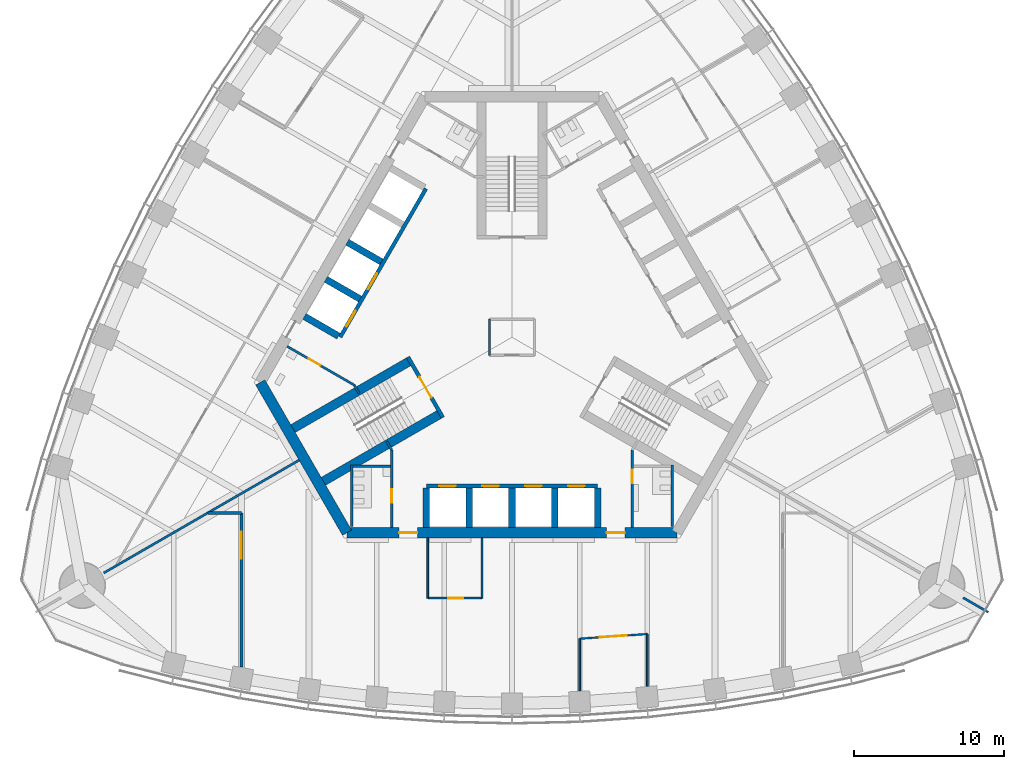
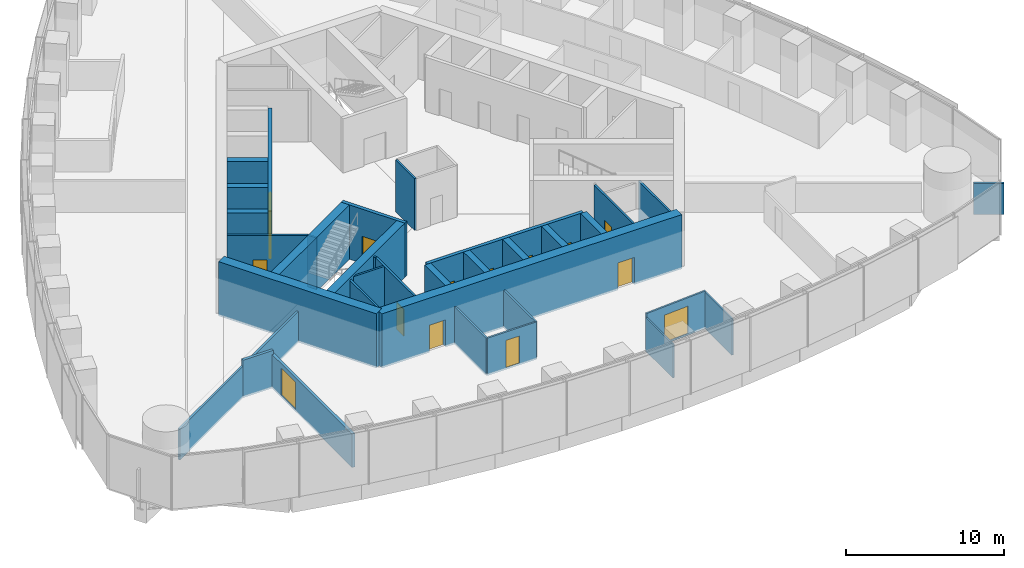
# One storey, part 11 of 19: 34 walls, 15 doors, 15 openings.
"""IFC4 building model written with IfcOpenShell, lengths in metres."""

from ifc_helpers import new_model, si_unit, direction, frame, frame_2d, origin, place, context, subcontext, project, spatial, rectangle, extrude, material, layer, layer_set, type_object, element, fill, save


model = new_model("IFC4")

# Units and contexts
model_context = context("Model", 3, precision=1e-05, world=origin(), true_north=direction((0.0, 1.0)))
body_context = subcontext(model_context, "Body", "Model", "MODEL_VIEW")
ifc_project = project(units=[si_unit("LENGTHUNIT", "METRE"), si_unit("AREAUNIT", "SQUARE_METRE"), si_unit("VOLUMEUNIT", "CUBIC_METRE"), si_unit("PLANEANGLEUNIT", "RADIAN"), si_unit("MASSUNIT", "GRAM", prefix="KILO")], contexts=[model_context])

# Site, building, storey
site_placement = place(None, origin())
site = spatial("IfcSite", under=ifc_project, at=site_placement, CompositionType="ELEMENT")
building_placement = place(site_placement, origin())
building = spatial("IfcBuilding", under=site, at=building_placement, Name="Trefoil Bronze Tower", CompositionType="ELEMENT")
storey_placement = place(building_placement, frame((0.0, 0.0, 256.89990234375)))
storey = spatial("IfcBuildingStorey", under=building, at=storey_placement, Name="L59", CompositionType="ELEMENT", Elevation=256.89990234375)

# Wall
ifc_material_1 = material(Name="Gypsum board on steel studs", Category="steel")
ifc_layer_1 = layer(ifc_material_1, 0.199951171875)
ifc_layer_set_1 = layer_set([ifc_layer_1], Name="Acoustic partition 200")
wall_type_1 = type_object("IfcWallType", Name="Acoustic partition 200", PredefinedType="PARTITIONING", material=ifc_layer_set_1)
wall_1_placement = place(storey_placement, frame((-18.0, -11.68994140625, 0.0), z_axis=(0.0, 0.0, 1.0), x_axis=(-1.0, 0.0, 0.0)))
element("IfcWall", 1, at=wall_1_placement, inside=storey, type_object=wall_type_1, Name="Partition F1 L59", PredefinedType="PARTITIONING", context=body_context, shape_type="SweptSolid", body=[
    extrude(rectangle(XDim=2.230224609375, YDim=0.199951171875, at=frame_2d((1.115234375, 0.0))), origin(), (0.0, 0.0, 1.0), 2.900146484375),
])

# Wall, opening, door
wall_2_placement = place(storey_placement, frame((-18.0, -11.68994140625, 0.0), z_axis=(0.0, 0.0, 1.0), x_axis=(0.0, -1.0, 0.0)))
wall_2 = element("IfcWall", 2, at=wall_2_placement, inside=storey, type_object=wall_type_1, Name="Partition F1 L59", PredefinedType="PARTITIONING", context=body_context, shape_type="SweptSolid", body=[
    extrude(rectangle(XDim=10.236572265625, YDim=0.199951171875, at=frame_2d((5.1181640625, 0.0))), origin(), (0.0, 0.0, 1.0), 2.60009765625),
])
opening_1_placement = place(wall_2_placement, frame((1.25, 0.0, 0.14990234375)))
opening_1 = element("IfcOpeningElement", 3, at=opening_1_placement, cuts=wall_2, Name="Opening D10", PredefinedType="OPENING", context=body_context, shape_type="SweptSolid", body=[
    extrude(rectangle(XDim=1.800048828125, YDim=2.10009765625, at=frame_2d((0.89990234375, 1.050048828125))), frame((0.0, 0.10986328125, 0.0), z_axis=(0.0, -1.0, 0.0), x_axis=(1.0, 0.0, 0.0)), (0.0, 0.0, 1.0), 0.219970703125),
])
ifc_material_2 = material(Name="Timber door", Category="wood")
door_type_1 = type_object("IfcDoorType", Name="Double door 1800", OperationType="DOUBLE_DOOR_SINGLE_SWING", PredefinedType="DOOR", material=ifc_material_2)
door_1_placement = place(opening_1_placement, frame((1.800048828125, 0.0, 0.0), z_axis=(0.0, 0.0, 1.0), x_axis=(-1.0, 0.0, 0.0)))
door_1 = element("IfcDoor", 4, at=door_1_placement, inside=storey, type_object=door_type_1, Name="Private dining room door F1 L59", OperationType="DOUBLE_DOOR_SINGLE_SWING", OverallHeight=2.10009765625, OverallWidth=1.800048828125, PredefinedType="DOOR", context=body_context, shape_type="SweptSolid", body=[
    extrude(rectangle(XDim=1.800048828125, YDim=2.10009765625, at=frame_2d((0.89990234375, 1.050048828125))), frame((0.0, 0.02490234375, 0.0), z_axis=(0.0, -1.0, 0.0), x_axis=(1.0, 0.0, 0.0)), (0.0, 0.0, 1.0), 0.050048828125),
])
fill(opening_1, door_1)

# Wall, openings, doors
ifc_material_3 = material(Name="Concrete B80", Category="concrete")
ifc_layer_2 = layer(ifc_material_3, 0.699951171875)
ifc_layer_set_2 = layer_set([ifc_layer_2], Name="Core wall 700")
wall_type_2 = type_object("IfcWallType", Name="Core wall 700", PredefinedType="SHEAR", material=ifc_layer_set_2)
wall_3_placement = place(storey_placement, frame((-10.9697265625, -13.0, 0.0), z_axis=(0.0, 0.0, 1.0), x_axis=(1.0, 0.0, 0.0)))
wall_3 = element("IfcWall", 5, at=wall_3_placement, inside=storey, type_object=wall_type_2, Name="Core long wall 1 L59", PredefinedType="SHEAR", context=body_context, shape_type="SweptSolid", body=[
    extrude(rectangle(XDim=21.939453125, YDim=0.699951171875, at=frame_2d((10.9697265625, 0.0))), origin(), (0.0, 0.0, 1.0), 4.2001953125),
])
opening_2_placement = place(wall_3_placement, frame((17.269775390625, 0.0, 0.0)))
opening_2 = element("IfcOpeningElement", 6, at=opening_2_placement, cuts=wall_3, Name="Opening D2", PredefinedType="OPENING", context=body_context, shape_type="SweptSolid", body=[
    extrude(rectangle(XDim=1.199951171875, YDim=2.10009765625, at=frame_2d((0.60009765625, 1.050048828125))), frame((0.0, 0.35986328125, 0.0), z_axis=(0.0, -1.0, 0.0), x_axis=(1.0, 0.0, 0.0)), (0.0, 0.0, 1.0), 0.719970703125),
])
opening_3_placement = place(wall_3_placement, frame((3.4697265625, 0.0, 0.0)))
opening_3 = element("IfcOpeningElement", 7, at=opening_3_placement, cuts=wall_3, Name="Opening D2", PredefinedType="OPENING", context=body_context, shape_type="SweptSolid", body=[
    extrude(rectangle(XDim=1.199951171875, YDim=2.10009765625, at=frame_2d((0.60009765625, 1.050048828125))), frame((0.0, 0.35986328125, 0.0), z_axis=(0.0, -1.0, 0.0), x_axis=(1.0, 0.0, 0.0)), (0.0, 0.0, 1.0), 0.719970703125),
])
ifc_material_4 = material(Name="Steel door", Category="steel")
door_type_2 = type_object("IfcDoorType", Name="Lobby door 1200", OperationType="SINGLE_SWING_RIGHT", PredefinedType="DOOR", material=ifc_material_4)
door_2_placement = place(opening_2_placement, origin())
door_2 = element("IfcDoor", 8, at=door_2_placement, inside=storey, type_object=door_type_2, Name="Lobby door F1+ L59", OperationType="SINGLE_SWING_RIGHT", OverallHeight=2.10009765625, OverallWidth=1.199951171875, PredefinedType="DOOR", context=body_context, shape_type="SweptSolid", body=[
    extrude(rectangle(XDim=1.199951171875, YDim=2.10009765625, at=frame_2d((0.60009765625, 1.050048828125))), frame((0.0, 0.02490234375, 0.0), z_axis=(0.0, -1.0, 0.0), x_axis=(1.0, 0.0, 0.0)), (0.0, 0.0, 1.0), 0.050048828125),
])
fill(opening_2, door_2)
door_3_placement = place(opening_3_placement, origin())
door_3 = element("IfcDoor", 9, at=door_3_placement, inside=storey, type_object=door_type_2, Name="Lobby door F1- L59", OperationType="SINGLE_SWING_LEFT", OverallHeight=2.10009765625, OverallWidth=1.199951171875, PredefinedType="DOOR", context=body_context, shape_type="SweptSolid", body=[
    extrude(rectangle(XDim=1.199951171875, YDim=2.10009765625, at=frame_2d((0.60009765625, 1.050048828125))), frame((0.0, 0.02490234375, 0.0), z_axis=(0.0, -1.0, 0.0), x_axis=(1.0, 0.0, 0.0)), (0.0, 0.0, 1.0), 0.050048828125),
])
fill(opening_3, door_3)

# Wall
wall_4_placement = place(storey_placement, frame((-16.7431640625, -3.0, 0.0), z_axis=(0.0, 0.0, 1.0), x_axis=(0.499995765644, -0.866027848477, 0.0)))
element("IfcWall", 10, at=wall_4_placement, inside=storey, type_object=wall_type_2, Name="Core short wall 3 L59", PredefinedType="SHEAR", context=body_context, shape_type="SweptSolid", body=[
    extrude(rectangle(XDim=11.546875, YDim=0.699951171875, at=frame_2d((5.7734375, 0.0))), origin(), (0.0, 0.0, 1.0), 4.2001953125),
])

# Wall, opening, door
ifc_material_5 = material(Name="Glazed partition", Category="glass")
ifc_layer_3 = layer(ifc_material_5, 0.1201171875)
ifc_layer_set_3 = layer_set([ifc_layer_3], Name="Glazed partition 120")
wall_type_3 = type_object("IfcWallType", Name="Glazed partition 120", PredefinedType="PARTITIONING", material=ifc_layer_set_3)
wall_5_placement = place(storey_placement, frame((-5.60009765625, -17.35009765625, 0.0), z_axis=(0.0, 0.0, 1.0), x_axis=(1.0, 0.0, 0.0)))
wall_5 = element("IfcWall", 11, at=wall_5_placement, inside=storey, type_object=wall_type_3, Name="Partition F1 L59", PredefinedType="PARTITIONING", context=body_context, shape_type="SweptSolid", body=[
    extrude(rectangle(XDim=3.60009765625, YDim=0.1201171875, at=frame_2d((1.800048828125, 0.0))), origin(), (0.0, 0.0, 1.0), 2.900146484375),
])
opening_4_placement = place(wall_5_placement, frame((1.35009765625, 0.0, 0.14990234375)))
opening_4 = element("IfcOpeningElement", 12, at=opening_4_placement, cuts=wall_5, Name="Opening D9", PredefinedType="OPENING", context=body_context, shape_type="SweptSolid", body=[
    extrude(rectangle(XDim=1.0, YDim=2.10009765625, at=frame_2d((0.5, 1.050048828125))), frame((0.0, 0.070068359375, 0.0), z_axis=(0.0, -1.0, 0.0), x_axis=(1.0, 0.0, 0.0)), (0.0, 0.0, 1.0), 0.14013671875),
])
ifc_material_6 = material(Name="Glazed timber door", Category="wood")
door_type_3 = type_object("IfcDoorType", Name="Meeting room door 1000", OperationType="SINGLE_SWING_LEFT", PredefinedType="DOOR", material=ifc_material_6)
door_4_placement = place(opening_4_placement, origin())
door_4 = element("IfcDoor", 13, at=door_4_placement, inside=storey, type_object=door_type_3, Name="Meeting room door F1 L59", OperationType="SINGLE_SWING_RIGHT", OverallHeight=2.10009765625, OverallWidth=1.0, PredefinedType="DOOR", context=body_context, shape_type="SweptSolid", body=[
    extrude(rectangle(XDim=1.0, YDim=2.10009765625, at=frame_2d((0.5, 1.050048828125))), frame((0.0, 0.02490234375, 0.0), z_axis=(0.0, -1.0, 0.0), x_axis=(1.0, 0.0, 0.0)), (0.0, 0.0, 1.0), 0.050048828125),
])
fill(opening_4, door_4)

# Walls
for number, where, z_axis, x_axis, name in (
    (14, (-2.0, -13.35009765625, 0.0), (0.0, 0.0, 1.0), (0.0, -1.0, 0.0), "Partition F1 L59"),
    (15, (-5.60009765625, -13.35009765625, 0.0), (0.0, 0.0, 1.0), (0.0, -1.0, 0.0), "Partition F1 L59"),
):
    element("IfcWall", number, at=place(storey_placement, frame(where, z_axis=z_axis, x_axis=x_axis)), inside=storey, type_object=wall_type_3, Name=name, PredefinedType="PARTITIONING", context=body_context, shape_type="SweptSolid", body=[
        extrude(rectangle(XDim=4.0, YDim=0.1201171875, at=frame_2d((2.0, 0.0))), origin(), (0.0, 0.0, 1.0), 2.900146484375),
    ])

# Wall, opening, door
wall_6_placement = place(storey_placement, frame((4.5, -20.047119140625, 0.0), z_axis=(0.0, 0.0, 1.0), x_axis=(0.997623533978, 0.068900540297, 0.0)))
wall_6 = element("IfcWall", 16, at=wall_6_placement, inside=storey, type_object=wall_type_3, Name="Partition F1 L59", PredefinedType="PARTITIONING", context=body_context, shape_type="SweptSolid", body=[
    extrude(rectangle(XDim=4.5107421875, YDim=0.1201171875, at=frame_2d((2.25537109375, 0.0))), origin(), (0.0, 0.0, 1.0), 2.900146484375),
])
opening_5_placement = place(wall_6_placement, frame((1.35009765625, 0.0, 0.14990234375)))
opening_5 = element("IfcOpeningElement", 17, at=opening_5_placement, cuts=wall_6, Name="Opening D10", PredefinedType="OPENING", context=body_context, shape_type="SweptSolid", body=[
    extrude(rectangle(XDim=1.800048828125, YDim=2.10009765625, at=frame_2d((0.89990234375, 1.050048828125))), frame((0.0, 0.070068359375, 0.0), z_axis=(0.0, -1.0, 0.0), x_axis=(1.0, 0.0, 0.0)), (0.0, 0.0, 1.0), 0.14013671875),
])
door_5_placement = place(opening_5_placement, frame((1.800048828125, 0.0, 0.0), z_axis=(0.0, 0.0, 1.0), x_axis=(-1.0, 0.0, 0.0)))
door_5 = element("IfcDoor", 18, at=door_5_placement, inside=storey, type_object=door_type_1, Name="Servery door F1 L59", OperationType="DOUBLE_DOOR_SINGLE_SWING", OverallHeight=2.10009765625, OverallWidth=1.800048828125, PredefinedType="DOOR", context=body_context, shape_type="SweptSolid", body=[
    extrude(rectangle(XDim=1.800048828125, YDim=2.10009765625, at=frame_2d((0.89990234375, 1.050048828125))), frame((0.0, 0.02490234375, 0.0), z_axis=(0.0, -1.0, 0.0), x_axis=(1.0, 0.0, 0.0)), (0.0, 0.0, 1.0), 0.050048828125),
])
fill(opening_5, door_5)

# Walls
wall_7_placement = place(storey_placement, frame((4.5, -20.047119140625, 0.0), z_axis=(0.0, 0.0, 1.0), x_axis=(0.0, -1.0, 0.0)))
element("IfcWall", 19, at=wall_7_placement, inside=storey, type_object=wall_type_3, Name="Partition F1 L59", PredefinedType="PARTITIONING", context=body_context, shape_type="SweptSolid", body=[
    extrude(rectangle(XDim=3.468505859375, YDim=0.1201171875, at=frame_2d((1.734375, 0.0))), origin(), (0.0, 0.0, 1.0), 2.60009765625),
])
wall_8_placement = place(storey_placement, frame((9.0, -19.736328125, 0.0), z_axis=(0.0, 0.0, 1.0), x_axis=(0.0, -1.0, 0.0)))
element("IfcWall", 20, at=wall_8_placement, inside=storey, type_object=wall_type_3, Name="Partition F1 L59", PredefinedType="PARTITIONING", context=body_context, shape_type="SweptSolid", body=[
    extrude(rectangle(XDim=3.463623046875, YDim=0.1201171875, at=frame_2d((1.73193359375, 0.0))), origin(), (0.0, 0.0, 1.0), 2.800048828125),
])
ifc_material_7 = material(Name="Concrete B80", Category="concrete")
ifc_layer_4 = layer(ifc_material_7, 0.449951171875)
ifc_layer_set_4 = layer_set([ifc_layer_4], Name="Outrigger shaft wall 450")
wall_type_4 = type_object("IfcWallType", Name="Outrigger shaft wall 450", PredefinedType="SHEAR", material=ifc_layer_set_4)
for number, where, z_axis, x_axis, name in (
    (21, (-5.699951171875, -10.02490234375, 0.0), (0.0, 0.0, 1.0), (0.0, -1.0, 0.0), "Lift shaft side wall A0 L59"),
    (22, (-2.85009765625, -10.02490234375, 0.0), (0.0, 0.0, 1.0), (0.0, -1.0, 0.0), "Lift shaft side wall A1 L59"),
    (23, (0.0, -10.02490234375, 0.0), (0.0, 0.0, 1.0), (0.0, -1.0, 0.0), "Lift shaft side wall A2 L59"),
    (24, (2.85009765625, -10.02490234375, 0.0), (0.0, 0.0, 1.0), (0.0, -1.0, 0.0), "Lift shaft side wall A3 L59"),
    (25, (5.699951171875, -10.02490234375, 0.0), (0.0, 0.0, 1.0), (0.0, -1.0, 0.0), "Lift shaft side wall A4 L59"),
    (26, (-8.681884765625, 5.012451171875, 0.0), (0.0, 0.0, 1.0), (-0.866036909293, 0.499980071345, 0.0), "Lift shaft side wall C2 L59"),
    (27, (-10.10693359375, 2.54443359375, 0.0), (0.0, 0.0, 1.0), (-0.866013657776, 0.500020344131, 0.0), "Lift shaft side wall C3 L59"),
    (28, (-11.531982421875, 0.076171875, 0.0), (0.0, 0.0, 1.0), (-0.866013657776, 0.500020344131, 0.0), "Lift shaft side wall C4 L59"),
):
    element("IfcWall", number, at=place(storey_placement, frame(where, z_axis=z_axis, x_axis=x_axis)), inside=storey, type_object=wall_type_4, Name=name, PredefinedType="SHEAR", context=body_context, shape_type="SweptSolid", body=[
        extrude(rectangle(XDim=2.625, YDim=0.449951171875, at=frame_2d((1.3125, 0.0))), origin(), (0.0, 0.0, 1.0), 4.2001953125),
    ])

# Wall, opening, door
ifc_material_8 = material(Name="Gypsum board on steel studs", Category="steel")
ifc_layer_5 = layer(ifc_material_8, 0.14990234375)
ifc_layer_set_5 = layer_set([ifc_layer_5], Name="Partition 150")
wall_type_5 = type_object("IfcWallType", Name="Partition 150", PredefinedType="PARTITIONING", material=ifc_layer_set_5)
wall_9_placement = place(storey_placement, frame((8.0, -7.5, 0.0), z_axis=(0.0, 0.0, 1.0), x_axis=(0.0, -1.0, 0.0)))
wall_9 = element("IfcWall", 29, at=wall_9_placement, inside=storey, type_object=wall_type_5, Name="Passage wall F1+ L59", PredefinedType="PARTITIONING", context=body_context, shape_type="SweptSolid", body=[
    extrude(rectangle(XDim=5.14990234375, YDim=0.14990234375, at=frame_2d((2.574951171875, 0.0))), origin(), (0.0, 0.0, 1.0), 4.0),
])
opening_6_placement = place(wall_9_placement, frame((1.300048828125, 0.0, 0.0)))
opening_6 = element("IfcOpeningElement", 30, at=opening_6_placement, cuts=wall_9, Name="Opening D3", PredefinedType="OPENING", context=body_context, shape_type="SweptSolid", body=[
    extrude(rectangle(XDim=0.89990234375, YDim=2.10009765625, at=frame_2d((0.449951171875, 1.050048828125))), frame((0.0, 0.0849609375, 0.0), z_axis=(0.0, -1.0, 0.0), x_axis=(1.0, 0.0, 0.0)), (0.0, 0.0, 1.0), 0.169921875),
])
ifc_material_9 = material(Name="Timber door", Category="wood")
door_type_4 = type_object("IfcDoorType", Name="WC door 900", OperationType="SINGLE_SWING_LEFT", PredefinedType="DOOR", material=ifc_material_9)
door_6_placement = place(opening_6_placement, origin())
door_6 = element("IfcDoor", 31, at=door_6_placement, inside=storey, type_object=door_type_4, Name="WC (men) door L59", OperationType="SINGLE_SWING_LEFT", OverallHeight=2.10009765625, OverallWidth=0.89990234375, PredefinedType="DOOR", context=body_context, shape_type="SweptSolid", body=[
    extrude(rectangle(XDim=0.89990234375, YDim=2.10009765625, at=frame_2d((0.449951171875, 1.050048828125))), frame((0.0, 0.02490234375, 0.0), z_axis=(0.0, -1.0, 0.0), x_axis=(1.0, 0.0, 0.0)), (0.0, 0.0, 1.0), 0.050048828125),
])
fill(opening_6, door_6)

wall_10_placement = place(storey_placement, frame((-8.0, -7.5, 0.0), z_axis=(0.0, 0.0, 1.0), x_axis=(0.0, -1.0, 0.0)))
wall_10 = element("IfcWall", 32, at=wall_10_placement, inside=storey, type_object=wall_type_5, Name="Passage wall F1- L59", PredefinedType="PARTITIONING", context=body_context, shape_type="SweptSolid", body=[
    extrude(rectangle(XDim=5.14990234375, YDim=0.14990234375, at=frame_2d((2.574951171875, 0.0))), origin(), (0.0, 0.0, 1.0), 4.0),
])
opening_7_placement = place(wall_10_placement, frame((2.60009765625, 0.0, 0.0)))
opening_7 = element("IfcOpeningElement", 33, at=opening_7_placement, cuts=wall_10, Name="Opening D3", PredefinedType="OPENING", context=body_context, shape_type="SweptSolid", body=[
    extrude(rectangle(XDim=0.89990234375, YDim=2.10009765625, at=frame_2d((0.449951171875, 1.050048828125))), frame((0.0, 0.0849609375, 0.0), z_axis=(0.0, -1.0, 0.0), x_axis=(1.0, 0.0, 0.0)), (0.0, 0.0, 1.0), 0.169921875),
])
door_7_placement = place(opening_7_placement, frame((0.89990234375, 0.0, 0.0), z_axis=(0.0, 0.0, 1.0), x_axis=(-1.0, 0.0, 0.0)))
door_7 = element("IfcDoor", 34, at=door_7_placement, inside=storey, type_object=door_type_4, Name="WC (women) door L59", OperationType="SINGLE_SWING_RIGHT", OverallHeight=2.10009765625, OverallWidth=0.89990234375, PredefinedType="DOOR", context=body_context, shape_type="SweptSolid", body=[
    extrude(rectangle(XDim=0.89990234375, YDim=2.10009765625, at=frame_2d((0.449951171875, 1.050048828125))), frame((0.0, 0.02490234375, 0.0), z_axis=(0.0, -1.0, 0.0), x_axis=(1.0, 0.0, 0.0)), (0.0, 0.0, 1.0), 0.050048828125),
])
fill(opening_7, door_7)

wall_11_placement = place(storey_placement, frame((-10.4951171875, -3.17822265625, 0.0), z_axis=(0.0, 0.0, 1.0), x_axis=(-0.866037967349, 0.499978238636, 0.0)))
wall_11 = element("IfcWall", 35, at=wall_11_placement, inside=storey, type_object=wall_type_5, Name="Passage wall F3+ L59", PredefinedType="PARTITIONING", context=body_context, shape_type="SweptSolid", body=[
    extrude(rectangle(XDim=5.150146484375, YDim=0.14990234375, at=frame_2d((2.5751953125, 0.0))), origin(), (0.0, 0.0, 1.0), 4.0),
])
opening_8_placement = place(wall_11_placement, frame((2.60009765625, 0.0, 0.0)))
opening_8 = element("IfcOpeningElement", 36, at=opening_8_placement, cuts=wall_11, Name="Opening D3", PredefinedType="OPENING", context=body_context, shape_type="SweptSolid", body=[
    extrude(rectangle(XDim=0.89990234375, YDim=2.10009765625, at=frame_2d((0.449951171875, 1.050048828125))), frame((0.0, 0.0849609375, 0.0), z_axis=(0.0, -1.0, 0.0), x_axis=(1.0, 0.0, 0.0)), (0.0, 0.0, 1.0), 0.169921875),
])
door_8_placement = place(opening_8_placement, origin())
door_8 = element("IfcDoor", 37, at=door_8_placement, inside=storey, type_object=door_type_4, Name="Accessible WC door L59", OperationType="SINGLE_SWING_RIGHT", OverallHeight=2.10009765625, OverallWidth=0.89990234375, PredefinedType="DOOR", context=body_context, shape_type="SweptSolid", body=[
    extrude(rectangle(XDim=0.89990234375, YDim=2.10009765625, at=frame_2d((0.449951171875, 1.050048828125))), frame((0.0, 0.02490234375, 0.0), z_axis=(0.0, -1.0, 0.0), x_axis=(1.0, 0.0, 0.0)), (0.0, 0.0, 1.0), 0.050048828125),
])
fill(opening_8, door_8)

# Walls
for number, where, z_axis, x_axis, name in (
    (38, (-10.4951171875, -3.17822265625, 0.0), (0.0, 0.0, 1.0), (0.499842556608, -0.866116284689, 0.0), "WC wall ST3-1 L59"),
    (39, (-8.0, -7.5, 0.0), (0.0, 0.0, 1.0), (-0.499842556608, 0.866116284689, 0.0), "WC wall ST3+1 L59"),
):
    element("IfcWall", number, at=place(storey_placement, frame(where, z_axis=z_axis, x_axis=x_axis)), inside=storey, type_object=wall_type_5, Name=name, PredefinedType="PARTITIONING", context=body_context, shape_type="SweptSolid", body=[
        extrude(rectangle(XDim=0.645263671875, YDim=0.14990234375, at=frame_2d((0.32275390625, 0.0))), origin(), (0.0, 0.0, 1.0), 4.0),
    ])
for number, where, z_axis, x_axis, name in (
    (40, (10.659912109375, -8.5, 0.0), (0.0, 0.0, 1.0), (0.0, -1.0, 0.0), "WC partition WC (men) L59"),
    (41, (-10.659912109375, -8.5, 0.0), (0.0, 0.0, 1.0), (0.0, -1.0, 0.0), "WC partition WC (women) L59"),
):
    element("IfcWall", number, at=place(storey_placement, frame(where, z_axis=z_axis, x_axis=x_axis)), inside=storey, type_object=wall_type_5, Name=name, PredefinedType="PARTITIONING", context=body_context, shape_type="SweptSolid", body=[
        extrude(rectangle(XDim=4.10009765625, YDim=0.14990234375, at=frame_2d((2.050048828125, 0.0))), origin(), (0.0, 0.0, 1.0), 4.0),
    ])
wall_12_placement = place(storey_placement, frame((-8.074951171875, -8.574951171875, 0.0), z_axis=(0.0, 0.0, 1.0), x_axis=(-1.0, 0.0, 0.0)))
element("IfcWall", 42, at=wall_12_placement, inside=storey, type_object=wall_type_5, Name="WC partition WC (women) L59", PredefinedType="PARTITIONING", context=body_context, shape_type="SweptSolid", body=[
    extrude(rectangle(XDim=2.510009765625, YDim=0.14990234375, at=frame_2d((1.2548828125, 0.0))), origin(), (0.0, 0.0, 1.0), 4.0),
])
ifc_material_10 = material(Name="Gypsum board on steel studs", Category="steel")
ifc_layer_6 = layer(ifc_material_10, 0.14990234375)
ifc_layer_set_6 = layer_set([ifc_layer_6], Name="Party wall 150")
wall_type_6 = type_object("IfcWallType", Name="Party wall 150", PredefinedType="PARTITIONING", material=ifc_layer_set_6)
wall_13_placement = place(storey_placement, frame((30.0078125, -17.324951171875, 0.0), z_axis=(0.0, 0.0, 1.0), x_axis=(0.866013246922, -0.500021055713, 0.0)))
element("IfcWall", 43, at=wall_13_placement, inside=storey, type_object=wall_type_6, Name="Party wall K1 L59", PredefinedType="PARTITIONING", context=body_context, shape_type="SweptSolid", body=[
    extrude(rectangle(XDim=1.9345703125, YDim=0.14990234375, at=frame_2d((0.96728515625, 0.0))), origin(), (0.0, 0.0, 1.0), 2.400146484375),
])
wall_14_placement = place(storey_placement, frame((-14.159423828125, -8.175048828125, 0.0), z_axis=(0.0, 0.0, 1.0), x_axis=(-0.866027028085, -0.499997186618, 0.0)))
element("IfcWall", 44, at=wall_14_placement, inside=storey, type_object=wall_type_6, Name="Party wall K3 L59", PredefinedType="PARTITIONING", context=body_context, shape_type="SweptSolid", body=[
    extrude(rectangle(XDim=15.0, YDim=0.14990234375, at=frame_2d((7.5, 0.0))), origin(), (0.0, 0.0, 1.0), 2.400146484375),
])
ifc_material_11 = material(Name="Gypsum board on steel studs", Category="steel")
ifc_layer_7 = layer(ifc_material_11, 0.14990234375)
ifc_layer_set_7 = layer_set([ifc_layer_7], Name="Riser wall 150")
wall_type_7 = type_object("IfcWallType", Name="Riser wall 150", PredefinedType="PARTITIONING", material=ifc_layer_set_7)
wall_15_placement = place(storey_placement, frame((-1.5, 1.199951171875, 0.0), z_axis=(0.0, 0.0, 1.0), x_axis=(0.0, -1.0, 0.0)))
element("IfcWall", 45, at=wall_15_placement, inside=storey, type_object=wall_type_7, Name="Riser wall L59", PredefinedType="PARTITIONING", context=body_context, shape_type="SweptSolid", body=[
    extrude(rectangle(XDim=2.39990234375, YDim=0.14990234375, at=frame_2d((1.199951171875, 0.0))), origin(), (0.0, 0.0, 1.0), 4.0),
])

# Wall, openings, doors
ifc_material_12 = material(Name="Concrete B80", Category="concrete")
ifc_layer_8 = layer(ifc_material_12, 0.25)
ifc_layer_set_8 = layer_set([ifc_layer_8], Name="Shaft wall 250")
wall_type_8 = type_object("IfcWallType", Name="Shaft wall 250", PredefinedType="SHEAR", material=ifc_layer_set_8)
wall_16_placement = place(storey_placement, frame((-5.699951171875, -9.89990234375, 0.0), z_axis=(0.0, 0.0, 1.0), x_axis=(1.0, 0.0, 0.0)))
wall_16 = element("IfcWall", 46, at=wall_16_placement, inside=storey, type_object=wall_type_8, Name="Lift shaft front wall A L59", PredefinedType="SHEAR", context=body_context, shape_type="SweptSolid", body=[
    extrude(rectangle(XDim=11.39990234375, YDim=0.25, at=frame_2d((5.699951171875, 0.0))), origin(), (0.0, 0.0, 1.0), 4.2001953125),
])
opening_9_placement = place(wall_16_placement, frame((0.875, 0.0, 0.0)))
opening_9 = element("IfcOpeningElement", 47, at=opening_9_placement, cuts=wall_16, Name="Opening LD-P31", PredefinedType="OPENING", context=body_context, shape_type="SweptSolid", body=[
    extrude(rectangle(XDim=1.10009765625, YDim=2.199951171875, at=frame_2d((0.550048828125, 1.10009765625))), frame((0.0, 0.135009765625, 0.0), z_axis=(0.0, -1.0, 0.0), x_axis=(1.0, 0.0, 0.0)), (0.0, 0.0, 1.0), 0.27001953125),
])
opening_10_placement = place(wall_16_placement, frame((3.72509765625, 0.0, 0.0)))
opening_10 = element("IfcOpeningElement", 48, at=opening_10_placement, cuts=wall_16, Name="Opening LD-P32", PredefinedType="OPENING", context=body_context, shape_type="SweptSolid", body=[
    extrude(rectangle(XDim=1.10009765625, YDim=2.199951171875, at=frame_2d((0.550048828125, 1.10009765625))), frame((0.0, 0.135009765625, 0.0), z_axis=(0.0, -1.0, 0.0), x_axis=(1.0, 0.0, 0.0)), (0.0, 0.0, 1.0), 0.27001953125),
])
opening_11_placement = place(wall_16_placement, frame((6.574951171875, 0.0, 0.0)))
opening_11 = element("IfcOpeningElement", 49, at=opening_11_placement, cuts=wall_16, Name="Opening LD-P33", PredefinedType="OPENING", context=body_context, shape_type="SweptSolid", body=[
    extrude(rectangle(XDim=1.10009765625, YDim=2.199951171875, at=frame_2d((0.550048828125, 1.10009765625))), frame((0.0, 0.135009765625, 0.0), z_axis=(0.0, -1.0, 0.0), x_axis=(1.0, 0.0, 0.0)), (0.0, 0.0, 1.0), 0.27001953125),
])
opening_12_placement = place(wall_16_placement, frame((9.425048828125, 0.0, 0.0)))
opening_12 = element("IfcOpeningElement", 50, at=opening_12_placement, cuts=wall_16, Name="Opening LD-P34", PredefinedType="OPENING", context=body_context, shape_type="SweptSolid", body=[
    extrude(rectangle(XDim=1.10009765625, YDim=2.199951171875, at=frame_2d((0.550048828125, 1.10009765625))), frame((0.0, 0.135009765625, 0.0), z_axis=(0.0, -1.0, 0.0), x_axis=(1.0, 0.0, 0.0)), (0.0, 0.0, 1.0), 0.27001953125),
])
ifc_material_13 = material(Name="Steel door", Category="steel")
door_type_5 = type_object("IfcDoorType", Name="Lift landing door 1100", OperationType="DOUBLE_DOOR_SLIDING", PredefinedType="DOOR", material=ifc_material_13)
door_9_placement = place(opening_9_placement, origin())
door_9 = element("IfcDoor", 51, at=door_9_placement, inside=storey, type_object=door_type_5, Name="Lift P31 landing door L59", OperationType="DOUBLE_DOOR_SLIDING", OverallHeight=2.199951171875, OverallWidth=1.10009765625, PredefinedType="DOOR", context=body_context, shape_type="SweptSolid", body=[
    extrude(rectangle(XDim=1.10009765625, YDim=2.199951171875, at=frame_2d((0.550048828125, 1.10009765625))), frame((0.0, 0.02490234375, 0.0), z_axis=(0.0, -1.0, 0.0), x_axis=(1.0, 0.0, 0.0)), (0.0, 0.0, 1.0), 0.050048828125),
])
fill(opening_9, door_9)
door_10_placement = place(opening_10_placement, origin())
door_10 = element("IfcDoor", 52, at=door_10_placement, inside=storey, type_object=door_type_5, Name="Lift P32 landing door L59", OperationType="DOUBLE_DOOR_SLIDING", OverallHeight=2.199951171875, OverallWidth=1.10009765625, PredefinedType="DOOR", context=body_context, shape_type="SweptSolid", body=[
    extrude(rectangle(XDim=1.10009765625, YDim=2.199951171875, at=frame_2d((0.550048828125, 1.10009765625))), frame((0.0, 0.02490234375, 0.0), z_axis=(0.0, -1.0, 0.0), x_axis=(1.0, 0.0, 0.0)), (0.0, 0.0, 1.0), 0.050048828125),
])
fill(opening_10, door_10)
door_11_placement = place(opening_11_placement, origin())
door_11 = element("IfcDoor", 53, at=door_11_placement, inside=storey, type_object=door_type_5, Name="Lift P33 landing door L59", OperationType="DOUBLE_DOOR_SLIDING", OverallHeight=2.199951171875, OverallWidth=1.10009765625, PredefinedType="DOOR", context=body_context, shape_type="SweptSolid", body=[
    extrude(rectangle(XDim=1.10009765625, YDim=2.199951171875, at=frame_2d((0.550048828125, 1.10009765625))), frame((0.0, 0.02490234375, 0.0), z_axis=(0.0, -1.0, 0.0), x_axis=(1.0, 0.0, 0.0)), (0.0, 0.0, 1.0), 0.050048828125),
])
fill(opening_11, door_11)
door_12_placement = place(opening_12_placement, origin())
door_12 = element("IfcDoor", 54, at=door_12_placement, inside=storey, type_object=door_type_5, Name="Lift P34 landing door L59", OperationType="DOUBLE_DOOR_SLIDING", OverallHeight=2.199951171875, OverallWidth=1.10009765625, PredefinedType="DOOR", context=body_context, shape_type="SweptSolid", body=[
    extrude(rectangle(XDim=1.10009765625, YDim=2.199951171875, at=frame_2d((0.550048828125, 1.10009765625))), frame((0.0, 0.02490234375, 0.0), z_axis=(0.0, -1.0, 0.0), x_axis=(1.0, 0.0, 0.0)), (0.0, 0.0, 1.0), 0.050048828125),
])
fill(opening_12, door_12)

wall_17_placement = place(storey_placement, frame((-5.7236328125, 9.88623046875, 0.0), z_axis=(0.0, 0.0, 1.0), x_axis=(-0.500001763848, -0.866024385424, 0.0)))
wall_17 = element("IfcWall", 55, at=wall_17_placement, inside=storey, type_object=wall_type_8, Name="Lift shaft front wall C L59", PredefinedType="SHEAR", context=body_context, shape_type="SweptSolid", body=[
    extrude(rectangle(XDim=11.39990234375, YDim=0.25, at=frame_2d((5.699951171875, 0.0))), origin(), (0.0, 0.0, 1.0), 4.2001953125),
])
opening_13_placement = place(wall_17_placement, frame((6.52490234375, 0.0, 0.0)))
opening_13 = element("IfcOpeningElement", 56, at=opening_13_placement, cuts=wall_17, Name="Opening LD-FL1", PredefinedType="OPENING", context=body_context, shape_type="SweptSolid", body=[
    extrude(rectangle(XDim=1.199951171875, YDim=2.199951171875, at=frame_2d((0.60009765625, 1.10009765625))), frame((0.0, 0.135009765625, 0.0), z_axis=(0.0, -1.0, 0.0), x_axis=(1.0, 0.0, 0.0)), (0.0, 0.0, 1.0), 0.27001953125),
])
opening_14_placement = place(wall_17_placement, frame((9.375, 0.0, 0.0)))
opening_14 = element("IfcOpeningElement", 57, at=opening_14_placement, cuts=wall_17, Name="Opening LD-FL2", PredefinedType="OPENING", context=body_context, shape_type="SweptSolid", body=[
    extrude(rectangle(XDim=1.199951171875, YDim=2.199951171875, at=frame_2d((0.60009765625, 1.10009765625))), frame((0.0, 0.135009765625, 0.0), z_axis=(0.0, -1.0, 0.0), x_axis=(1.0, 0.0, 0.0)), (0.0, 0.0, 1.0), 0.27001953125),
])
ifc_material_14 = material(Name="Steel door", Category="steel")
door_type_6 = type_object("IfcDoorType", Name="Lift landing door 1200", OperationType="DOUBLE_DOOR_SLIDING", PredefinedType="DOOR", material=ifc_material_14)
door_13_placement = place(opening_13_placement, origin())
door_13 = element("IfcDoor", 58, at=door_13_placement, inside=storey, type_object=door_type_6, Name="Lift FL1 landing door L59", OperationType="DOUBLE_DOOR_SLIDING", OverallHeight=2.199951171875, OverallWidth=1.199951171875, PredefinedType="DOOR", context=body_context, shape_type="SweptSolid", body=[
    extrude(rectangle(XDim=1.199951171875, YDim=2.199951171875, at=frame_2d((0.60009765625, 1.10009765625))), frame((0.0, 0.02490234375, 0.0), z_axis=(0.0, -1.0, 0.0), x_axis=(1.0, 0.0, 0.0)), (0.0, 0.0, 1.0), 0.050048828125),
])
fill(opening_13, door_13)
door_14_placement = place(opening_14_placement, origin())
door_14 = element("IfcDoor", 59, at=door_14_placement, inside=storey, type_object=door_type_6, Name="Lift FL2 landing door L59", OperationType="DOUBLE_DOOR_SLIDING", OverallHeight=2.199951171875, OverallWidth=1.199951171875, PredefinedType="DOOR", context=body_context, shape_type="SweptSolid", body=[
    extrude(rectangle(XDim=1.199951171875, YDim=2.199951171875, at=frame_2d((0.60009765625, 1.10009765625))), frame((0.0, 0.02490234375, 0.0), z_axis=(0.0, -1.0, 0.0), x_axis=(1.0, 0.0, 0.0)), (0.0, 0.0, 1.0), 0.050048828125),
])
fill(opening_14, door_14)

# Wall, opening, door
wall_18_placement = place(storey_placement, frame((-6.921630859375, -1.3115234375, 0.0), z_axis=(0.0, 0.0, 1.0), x_axis=(0.499984536904, -0.866034331223, 0.0)))
wall_18 = element("IfcWall", 60, at=wall_18_placement, inside=storey, type_object=wall_type_8, Name="Stair end wall ST3 L59", PredefinedType="SHEAR", context=body_context, shape_type="SweptSolid", body=[
    extrude(rectangle(XDim=4.650146484375, YDim=0.25, at=frame_2d((2.3251953125, 0.0))), origin(), (0.0, 0.0, 1.0), 4.2001953125),
])
opening_15_placement = place(wall_18_placement, frame((1.52490234375, 0.0, 0.0)))
opening_15 = element("IfcOpeningElement", 61, at=opening_15_placement, cuts=wall_18, Name="Opening D1", PredefinedType="OPENING", context=body_context, shape_type="SweptSolid", body=[
    extrude(rectangle(XDim=1.60009765625, YDim=2.10009765625, at=frame_2d((0.800048828125, 1.050048828125))), frame((0.0, 0.135009765625, 0.0), z_axis=(0.0, -1.0, 0.0), x_axis=(1.0, 0.0, 0.0)), (0.0, 0.0, 1.0), 0.27001953125),
])
ifc_material_15 = material(Name="Steel door", Category="steel")
door_type_7 = type_object("IfcDoorType", Name="Stair door 1600", OperationType="DOUBLE_DOOR_SINGLE_SWING", PredefinedType="DOOR", material=ifc_material_15)
door_15_placement = place(opening_15_placement, frame((1.60009765625, 0.0, 0.0), z_axis=(0.0, 0.0, 1.0), x_axis=(-1.0, 0.0, 0.0)))
door_15 = element("IfcDoor", 62, at=door_15_placement, inside=storey, type_object=door_type_7, Name="Stair door ST3 L59", OperationType="DOUBLE_DOOR_SINGLE_SWING", OverallHeight=2.10009765625, OverallWidth=1.60009765625, PredefinedType="DOOR", context=body_context, shape_type="SweptSolid", body=[
    extrude(rectangle(XDim=1.60009765625, YDim=2.10009765625, at=frame_2d((0.800048828125, 1.050048828125))), frame((0.0, 0.02490234375, 0.0), z_axis=(0.0, -1.0, 0.0), x_axis=(1.0, 0.0, 0.0)), (0.0, 0.0, 1.0), 0.050048828125),
])
fill(opening_15, door_15)

# Walls
ifc_material_16 = material(Name="Concrete B80", Category="concrete")
ifc_layer_9 = layer(ifc_material_16, 0.60009765625)
ifc_layer_set_9 = layer_set([ifc_layer_9], Name="Stair wall 600")
wall_type_9 = type_object("IfcWallType", Name="Stair wall 600", PredefinedType="SHEAR", material=ifc_layer_set_9)
for number, where, z_axis, x_axis, name in (
    (63, (-6.663330078125, -1.5087890625, 0.0), (0.0, 0.0, 1.0), (-0.866028310072, -0.499994966129, 0.0), "Stair wall ST3 L59"),
    (64, (-4.638427734375, -5.01611328125, 0.0), (0.0, 0.0, 1.0), (-0.866021621257, -0.500006551472, 0.0), "Stair wall ST3 L59"),
):
    element("IfcWall", number, at=place(storey_placement, frame(where, z_axis=z_axis, x_axis=x_axis)), inside=storey, type_object=wall_type_9, Name=name, PredefinedType="SHEAR", context=body_context, shape_type="SweptSolid", body=[
        extrude(rectangle(XDim=9.125, YDim=0.60009765625, at=frame_2d((4.5625, 0.0))), origin(), (0.0, 0.0, 1.0), 4.2001953125),
    ])

save(model, "model.ifc")
